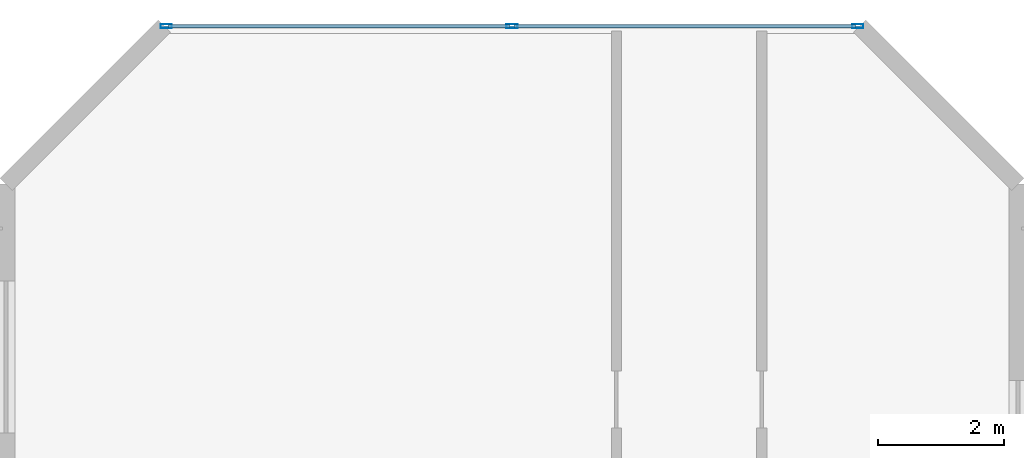
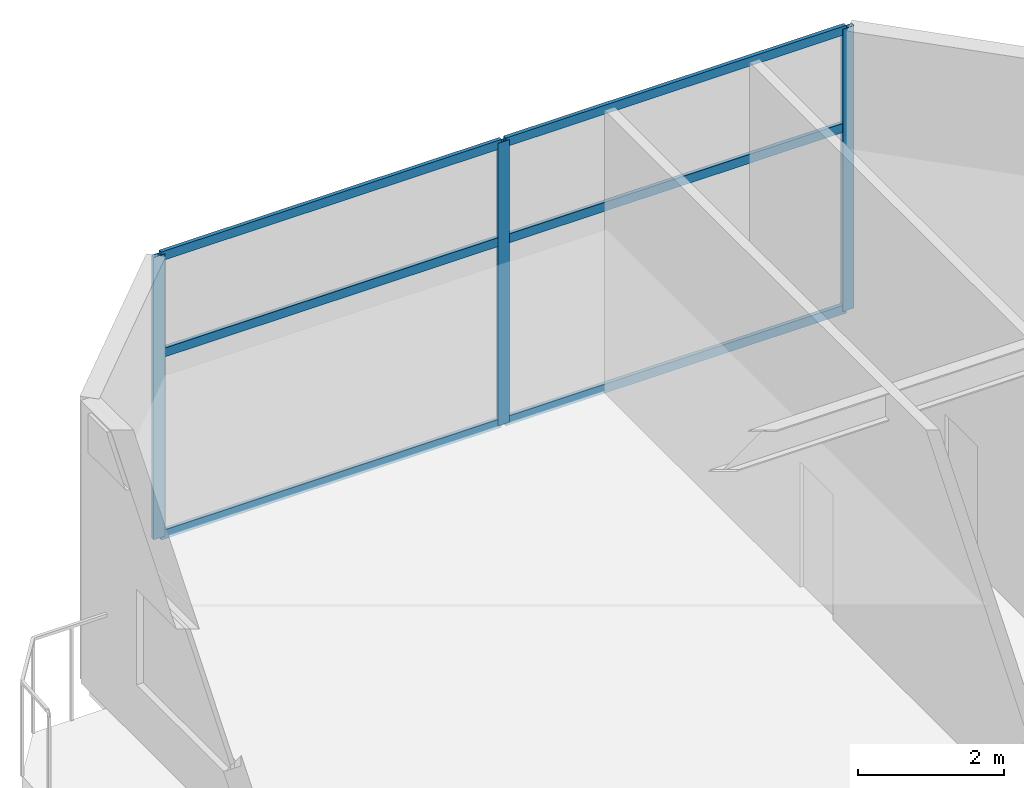
# One storey, part 8 of 16: 9 members, 1 element without a shape of its own.
"""IFC4 building model written with IfcOpenShell, lengths in metres."""

from ifc_helpers import new_model, si_unit, direction, frame, origin, origin_2d, place, context, subcontext, project, spatial, hollow_rectangle, extrude, material, layer, layer_set, material_profile, profile_set, type_object, element, aggregate, save


model = new_model("IFC4")

# Units and contexts
model_context = context("Model", 3, precision=1e-05, world=origin(), true_north=direction((0.0, 1.0)))
body_context = subcontext(model_context, "Body", "Model", "MODEL_VIEW")
ifc_project = project(units=[si_unit("LENGTHUNIT", "METRE"), si_unit("AREAUNIT", "SQUARE_METRE"), si_unit("VOLUMEUNIT", "CUBIC_METRE"), si_unit("PLANEANGLEUNIT", "RADIAN"), si_unit("MASSUNIT", "GRAM", prefix="KILO")], contexts=[model_context])

# Site, building, storey
site_placement = place(None, origin())
site = spatial("IfcSite", under=ifc_project, at=site_placement, CompositionType="ELEMENT")
building_placement = place(site_placement, origin())
building = spatial("IfcBuilding", under=site, at=building_placement, Name="Mawjaban Terraces University", CompositionType="ELEMENT")
storey_placement = place(building_placement, frame((0.0, 0.0, 311.699951171875)))
storey = spatial("IfcBuildingStorey", under=building, at=storey_placement, Name="L76", CompositionType="ELEMENT", Elevation=311.699951171875)

# Curtain wall, members
ifc_material_1 = material(Name="Anodised aluminium 6063-T6 and solar-control low-E glass", Category="aluminium")
ifc_layer = layer(ifc_material_1, 0.199951171875)
ifc_layer_set = layer_set([ifc_layer], Name="Anodised aluminium 6063-T6 and solar-control low-E glass")
curtain_wall_type = type_object("IfcCurtainWallType", Name="CWSystem_06_ObservationCrown", PredefinedType="NOTDEFINED", material=ifc_layer_set)
curtain_wall_placement = place(storey_placement, origin())
curtain_wall = element("IfcCurtainWall", 1, at=curtain_wall_placement, inside=storey, type_object=curtain_wall_type, Name="L76 Curtain Wall CW-06 Run 11.1", PredefinedType="NOTDEFINED")
ifc_material_2 = material(Name="Anodised aluminium 6063-T6", Category="aluminium")
ifc_material_profile_1 = material_profile(ifc_material_2, hollow_rectangle(XDim=0.06494140625, YDim=0.179931640625, WallThickness=0.00390625, at=origin_2d()), Name="ALU180X65X4")
ifc_profile_set_1 = profile_set([ifc_material_profile_1], Name="Anodised aluminium 6063-T6")
member_type_1 = type_object("IfcMemberType", Name="Mullion_CW-06", PredefinedType="MULLION", material=ifc_profile_set_1)
member_1_placement = place(storey_placement, frame((35.467529296875, 37.800048828125, 0.0), z_axis=(0.0, 0.0, 1.0), x_axis=(0.0, -1.0, 0.0)))
member_1 = element("IfcMember", 2, at=member_1_placement, type_object=member_type_1, Name="CW-06 mullion 1", PredefinedType="MULLION", context=body_context, shape_type="SweptSolid", body=[
    extrude(hollow_rectangle(XDim=0.06494140625, YDim=0.179931640625, WallThickness=0.00390625, at=origin_2d()), origin(), (0.0, 0.0, 1.0), 4.739990234375),
])
member_2_placement = place(storey_placement, frame((30.0, 37.800048828125, 0.0), z_axis=(0.0, 0.0, 1.0), x_axis=(0.0, -1.0, 0.0)))
member_2 = element("IfcMember", 3, at=member_2_placement, type_object=member_type_1, Name="CW-06 mullion 2", PredefinedType="MULLION", context=body_context, shape_type="SweptSolid", body=[
    extrude(hollow_rectangle(XDim=0.06494140625, YDim=0.179931640625, WallThickness=0.00390625, at=origin_2d()), origin(), (0.0, 0.0, 1.0), 4.739990234375),
])
member_3_placement = place(storey_placement, frame((24.532470703125, 37.800048828125, 0.0), z_axis=(0.0, 0.0, 1.0), x_axis=(0.0, -1.0, 0.0)))
member_3 = element("IfcMember", 4, at=member_3_placement, type_object=member_type_1, Name="CW-06 mullion 3", PredefinedType="MULLION", context=body_context, shape_type="SweptSolid", body=[
    extrude(hollow_rectangle(XDim=0.06494140625, YDim=0.179931640625, WallThickness=0.00390625, at=origin_2d()), origin(), (0.0, 0.0, 1.0), 4.739990234375),
])
ifc_material_profile_2 = material_profile(ifc_material_2, hollow_rectangle(XDim=0.06005859375, YDim=0.14990234375, WallThickness=0.00390625, at=origin_2d()), Name="ALU150X60X4")
ifc_profile_set_2 = profile_set([ifc_material_profile_2], Name="Anodised aluminium 6063-T6")
member_type_2 = type_object("IfcMemberType", Name="Transom_CW-06", PredefinedType="NOTDEFINED", material=ifc_profile_set_2)
member_4_placement = place(storey_placement, frame((35.43505859375, 37.800048828125, 0.030029296875), z_axis=(-1.0, 0.0, 0.0), x_axis=(0.0, -1.0, 0.0)))
member_4 = element("IfcMember", 5, at=member_4_placement, type_object=member_type_2, Name="CW-06 transom 1.1", ObjectType="TRANSOM", PredefinedType="USERDEFINED", context=body_context, shape_type="SweptSolid", body=[
    extrude(hollow_rectangle(XDim=0.06005859375, YDim=0.14990234375, WallThickness=0.00390625, at=origin_2d()), origin(), (0.0, 0.0, 1.0), 5.402587890625),
])
member_5_placement = place(storey_placement, frame((35.43505859375, 37.800048828125, 3.0810546875), z_axis=(-1.0, 0.0, 0.0), x_axis=(0.0, -1.0, 0.0)))
member_5 = element("IfcMember", 6, at=member_5_placement, type_object=member_type_2, Name="CW-06 transom 1.2", ObjectType="TRANSOM", PredefinedType="USERDEFINED", context=body_context, shape_type="SweptSolid", body=[
    extrude(hollow_rectangle(XDim=0.06005859375, YDim=0.14990234375, WallThickness=0.00390625, at=origin_2d()), origin(), (0.0, 0.0, 1.0), 5.402587890625),
])
member_6_placement = place(storey_placement, frame((35.43505859375, 37.800048828125, 4.7099609375), z_axis=(-1.0, 0.0, 0.0), x_axis=(0.0, -1.0, 0.0)))
member_6 = element("IfcMember", 7, at=member_6_placement, type_object=member_type_2, Name="CW-06 transom 1.3", ObjectType="TRANSOM", PredefinedType="USERDEFINED", context=body_context, shape_type="SweptSolid", body=[
    extrude(hollow_rectangle(XDim=0.06005859375, YDim=0.14990234375, WallThickness=0.00390625, at=origin_2d()), origin(), (0.0, 0.0, 1.0), 5.402587890625),
])
member_7_placement = place(storey_placement, frame((29.967529296875, 37.800048828125, 0.030029296875), z_axis=(-1.0, 0.0, 0.0), x_axis=(0.0, -1.0, 0.0)))
member_7 = element("IfcMember", 8, at=member_7_placement, type_object=member_type_2, Name="CW-06 transom 2.1", ObjectType="TRANSOM", PredefinedType="USERDEFINED", context=body_context, shape_type="SweptSolid", body=[
    extrude(hollow_rectangle(XDim=0.06005859375, YDim=0.14990234375, WallThickness=0.00390625, at=origin_2d()), origin(), (0.0, 0.0, 1.0), 5.402587890625),
])
member_8_placement = place(storey_placement, frame((29.967529296875, 37.800048828125, 3.0810546875), z_axis=(-1.0, 0.0, 0.0), x_axis=(0.0, -1.0, 0.0)))
member_8 = element("IfcMember", 9, at=member_8_placement, type_object=member_type_2, Name="CW-06 transom 2.2", ObjectType="TRANSOM", PredefinedType="USERDEFINED", context=body_context, shape_type="SweptSolid", body=[
    extrude(hollow_rectangle(XDim=0.06005859375, YDim=0.14990234375, WallThickness=0.00390625, at=origin_2d()), origin(), (0.0, 0.0, 1.0), 5.402587890625),
])
member_9_placement = place(storey_placement, frame((29.967529296875, 37.800048828125, 4.7099609375), z_axis=(-1.0, 0.0, 0.0), x_axis=(0.0, -1.0, 0.0)))
member_9 = element("IfcMember", 10, at=member_9_placement, type_object=member_type_2, Name="CW-06 transom 2.3", ObjectType="TRANSOM", PredefinedType="USERDEFINED", context=body_context, shape_type="SweptSolid", body=[
    extrude(hollow_rectangle(XDim=0.06005859375, YDim=0.14990234375, WallThickness=0.00390625, at=origin_2d()), origin(), (0.0, 0.0, 1.0), 5.402587890625),
])
aggregate(curtain_wall, [member_1, member_2, member_3, member_4, member_5, member_6, member_7, member_8, member_9])

save(model, "model.ifc")
